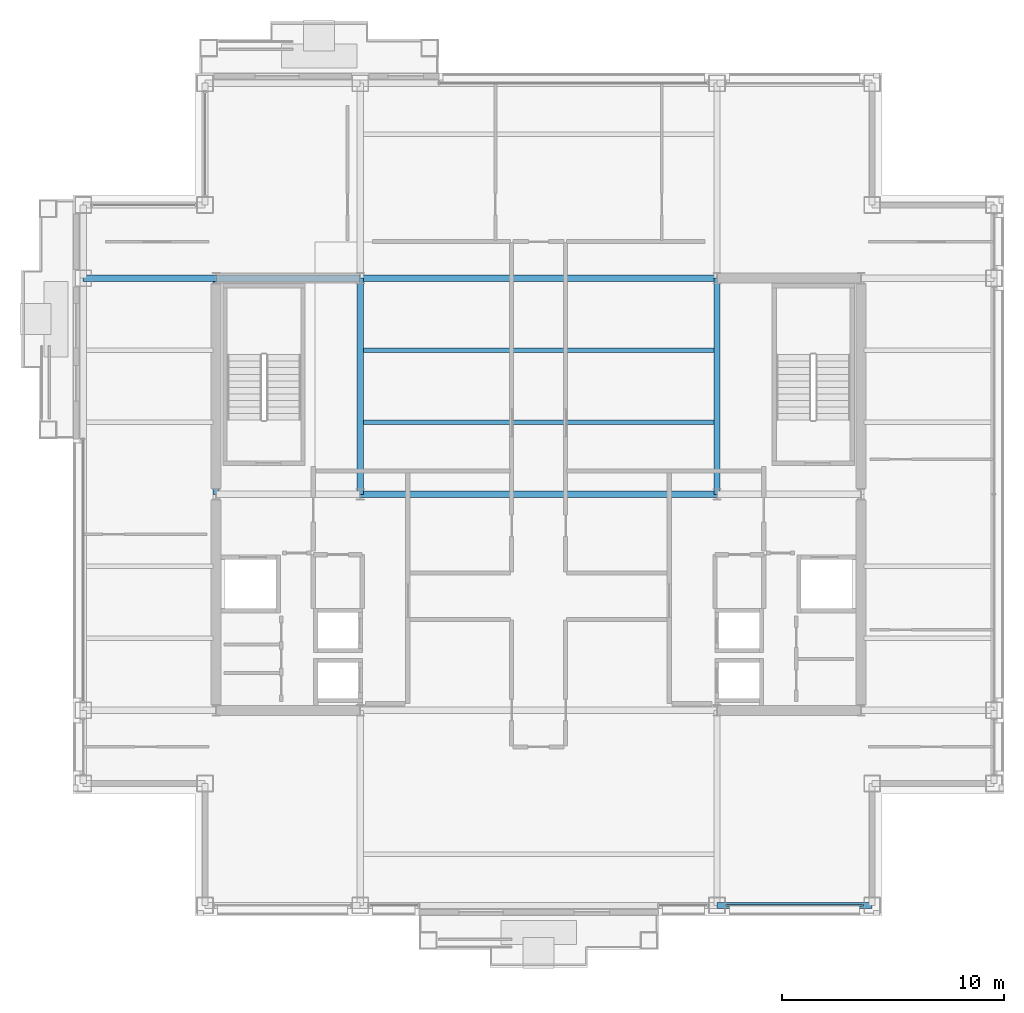
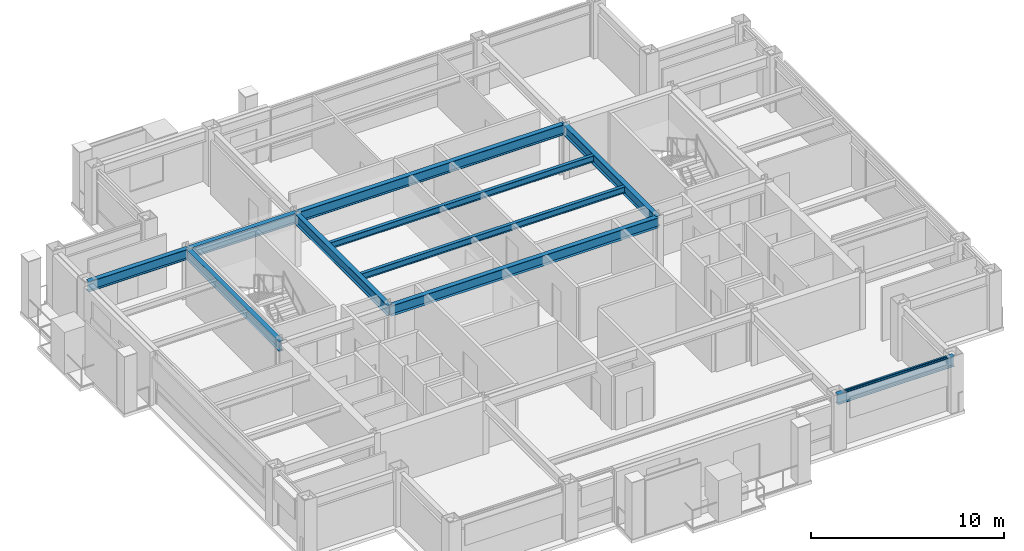
# One storey, part 10 of 30: 10 beams, 1 member, 1 element without a shape of its own.
"""IFC4 building model written with IfcOpenShell, lengths in metres."""

from ifc_helpers import new_model, si_unit, direction, frame, origin, origin_2d, place, context, subcontext, project, spatial, hollow_rectangle, i_section, extrude, material, layer, layer_set, material_profile, profile_set, type_object, element, aggregate, save


model = new_model("IFC4")

# Units and contexts
model_context = context("Model", 3, precision=1e-05, world=origin(), true_north=direction((0.0, 1.0)))
body_context = subcontext(model_context, "Body", "Model", "MODEL_VIEW")
ifc_project = project(units=[si_unit("LENGTHUNIT", "METRE"), si_unit("AREAUNIT", "SQUARE_METRE"), si_unit("VOLUMEUNIT", "CUBIC_METRE"), si_unit("PLANEANGLEUNIT", "RADIAN"), si_unit("MASSUNIT", "GRAM", prefix="KILO")], contexts=[model_context])

# Site, building, storey
site_placement = place(None, origin())
site = spatial("IfcSite", under=ifc_project, at=site_placement, CompositionType="ELEMENT")
building_placement = place(site_placement, origin())
building = spatial("IfcBuilding", under=site, at=building_placement, Name="Brelmoor Portico Tower", CompositionType="ELEMENT")
storey_placement = place(building_placement, frame((0.0, 0.0, 169.5)))
storey = spatial("IfcBuildingStorey", under=building, at=storey_placement, Name="L44", CompositionType="ELEMENT", Elevation=169.5)

# Beams
ifc_material_1 = material(Name="Steel Q355B", Category="steel")
ifc_material_profile_1 = material_profile(ifc_material_1, i_section(OverallWidth=0.199951171875, OverallDepth=0.39990234375, WebThickness=0.008056640625, FlangeThickness=0.012939453125, at=origin_2d()), Name="HN 400x200x8x13")
ifc_profile_set_1 = profile_set([ifc_material_profile_1], Name="Steel Q355B")
beam_type_1 = type_object("IfcBeamType", Name="BM-JS-400", PredefinedType="JOIST", material=ifc_profile_set_1)
for number, where, z_axis, x_axis, name in (
    (1, (-7.909912109375, 3.25, 3.199951171875), (1.0, 0.0, 0.0), (0.0, 1.0, 0.0), "L44 Secondary Composite Joist JS-C02"),
    (2, (-7.909912109375, 6.5, 3.199951171875), (1.0, 0.0, 0.0), (0.0, 1.0, 0.0), "L44 Secondary Composite Joist JS-C03"),
):
    element("IfcBeam", number, at=place(storey_placement, frame(where, z_axis=z_axis, x_axis=x_axis)), inside=storey, type_object=beam_type_1, Name=name, PredefinedType="JOIST", context=body_context, shape_type="SweptSolid", body=[
        extrude(i_section(OverallWidth=0.199951171875, OverallDepth=0.39990234375, WebThickness=0.008056640625, FlangeThickness=0.012939453125, at=origin_2d()), origin(), (0.0, 0.0, 1.0), 15.81982421875),
    ])
ifc_material_profile_2 = material_profile(ifc_material_1, i_section(OverallWidth=0.280029296875, OverallDepth=0.64990234375, WebThickness=0.012939453125, FlangeThickness=0.02197265625, at=origin_2d()), Name="HN 650x280x13x22")
ifc_profile_set_2 = profile_set([ifc_material_profile_2], Name="Steel Q355B")
beam_type_2 = type_object("IfcBeamType", Name="BM-PG-650", PredefinedType="BEAM", material=ifc_profile_set_2)
for number, where, z_axis, x_axis, name in (
    (3, (-14.550048828125, 0.0, 3.074951171875), (0.0, 1.0, 0.0), (-1.0, 0.0, 0.0), "L44 Primary Floor Girder PG-02"),
    (4, (-8.050048828125, 0.0, 3.074951171875), (0.0, 1.0, 0.0), (-1.0, 0.0, 0.0), "L44 Primary Floor Girder PG-04"),
    (5, (8.050048828125, 0.0, 3.074951171875), (0.0, 1.0, 0.0), (-1.0, 0.0, 0.0), "L44 Primary Floor Girder PG-07"),
):
    element("IfcBeam", number, at=place(storey_placement, frame(where, z_axis=z_axis, x_axis=x_axis)), inside=storey, type_object=beam_type_2, Name=name, PredefinedType="BEAM", context=body_context, shape_type="SweptSolid", body=[
        extrude(i_section(OverallWidth=0.280029296875, OverallDepth=0.64990234375, WebThickness=0.012939453125, FlangeThickness=0.02197265625, at=origin_2d()), origin(), (0.0, 0.0, 1.0), 9.75),
    ])
beam_1_placement = place(storey_placement, frame((-8.050048828125, 0.0, 3.074951171875), z_axis=(1.0, 0.0, 0.0), x_axis=(0.0, 1.0, 0.0)))
element("IfcBeam", 6, at=beam_1_placement, inside=storey, type_object=beam_type_2, Name="L44 Primary Floor Girder PG-17", PredefinedType="BEAM", context=body_context, shape_type="SweptSolid", body=[
    extrude(i_section(OverallWidth=0.280029296875, OverallDepth=0.64990234375, WebThickness=0.012939453125, FlangeThickness=0.02197265625, at=origin_2d()), origin(), (0.0, 0.0, 1.0), 16.10009765625),
])
beam_2_placement = place(storey_placement, frame((-20.550048828125, 9.75, 3.074951171875), z_axis=(1.0, 0.0, 0.0), x_axis=(0.0, 1.0, 0.0)))
element("IfcBeam", 7, at=beam_2_placement, inside=storey, type_object=beam_type_2, Name="L44 Primary Floor Girder PG-19", PredefinedType="BEAM", context=body_context, shape_type="SweptSolid", body=[
    extrude(i_section(OverallWidth=0.280029296875, OverallDepth=0.64990234375, WebThickness=0.012939453125, FlangeThickness=0.02197265625, at=origin_2d()), origin(), (0.0, 0.0, 1.0), 6.0),
])
beam_3_placement = place(storey_placement, frame((-14.550048828125, 9.75, 3.074951171875), z_axis=(1.0, 0.0, 0.0), x_axis=(0.0, 1.0, 0.0)))
element("IfcBeam", 8, at=beam_3_placement, inside=storey, type_object=beam_type_2, Name="L44 Primary Floor Girder PG-20", PredefinedType="BEAM", context=body_context, shape_type="SweptSolid", body=[
    extrude(i_section(OverallWidth=0.280029296875, OverallDepth=0.64990234375, WebThickness=0.012939453125, FlangeThickness=0.02197265625, at=origin_2d()), origin(), (0.0, 0.0, 1.0), 6.5),
])
beam_4_placement = place(storey_placement, frame((-8.050048828125, 9.75, 3.074951171875), z_axis=(1.0, 0.0, 0.0), x_axis=(0.0, 1.0, 0.0)))
element("IfcBeam", 9, at=beam_4_placement, inside=storey, type_object=beam_type_2, Name="L44 Primary Floor Girder PG-21", PredefinedType="BEAM", context=body_context, shape_type="SweptSolid", body=[
    extrude(i_section(OverallWidth=0.280029296875, OverallDepth=0.64990234375, WebThickness=0.012939453125, FlangeThickness=0.02197265625, at=origin_2d()), origin(), (0.0, 0.0, 1.0), 16.10009765625),
])
ifc_material_profile_3 = material_profile(ifc_material_1, i_section(OverallWidth=0.280029296875, OverallDepth=0.64990234375, WebThickness=0.012939453125, FlangeThickness=0.02197265625, at=origin_2d()), Name="HN 650x280x13x22")
ifc_profile_set_3 = profile_set([ifc_material_profile_3], Name="Steel Q355B")
beam_type_3 = type_object("IfcBeamType", Name="BM-SP-650", PredefinedType="SPANDREL", material=ifc_profile_set_3)
beam_5_placement = place(storey_placement, frame((8.050048828125, -18.550048828125, 3.074951171875), z_axis=(1.0, 0.0, 0.0), x_axis=(0.0, 1.0, 0.0)))
element("IfcBeam", 10, at=beam_5_placement, inside=storey, type_object=beam_type_3, Name="L44 Perimeter Spandrel Beam SP-03", PredefinedType="SPANDREL", context=body_context, shape_type="SweptSolid", body=[
    extrude(i_section(OverallWidth=0.280029296875, OverallDepth=0.64990234375, WebThickness=0.012939453125, FlangeThickness=0.02197265625, at=origin_2d()), origin(), (0.0, 0.0, 1.0), 7.0),
])

# Curtain wall, member
ifc_material_2 = material(Name="Anodised Aluminium Alloy 6063-T6", Category="aluminium")
ifc_layer = layer(ifc_material_2, 0.179931640625)
ifc_layer_set = layer_set([ifc_layer], Name="Anodised Aluminium Alloy 6063-T6")
curtain_wall_type = type_object("IfcCurtainWallType", Name="CW-TOWER-Z3-XB", PredefinedType="NOTDEFINED", material=ifc_layer_set)
curtain_wall_placement = place(storey_placement, origin())
curtain_wall = element("IfcCurtainWall", 11, at=curtain_wall_placement, inside=storey, type_object=curtain_wall_type, Name="L44 Curtain Wall CW-L44-1R-2", PredefinedType="NOTDEFINED")
ifc_material_profile_4 = material_profile(ifc_material_2, hollow_rectangle(XDim=0.06005859375, YDim=0.125, WallThickness=0.00341796875, at=origin_2d()), Name="ALU TRANSOM 60x125")
ifc_profile_set_4 = profile_set([ifc_material_profile_4], Name="Anodised Aluminium Alloy 6063-T6")
member_type = type_object("IfcMemberType", Name="MB-CW-TRAN-125", PredefinedType="USERDEFINED", material=ifc_profile_set_4)
member_placement = place(storey_placement, frame((8.43505859375, -18.550048828125, 3.33740234375), z_axis=(1.0, 0.0, 0.0), x_axis=(0.0, 1.0, 0.0)))
member = element("IfcMember", 12, at=member_placement, type_object=member_type, Name="CW-L44-1R-2 Transom 1-00", ObjectType="TRANSOM", PredefinedType="USERDEFINED", context=body_context, shape_type="SweptSolid", body=[
    extrude(hollow_rectangle(XDim=0.06005859375, YDim=0.125, WallThickness=0.00341796875, at=origin_2d()), origin(), (0.0, 0.0, 1.0), 6.22998046875),
])
aggregate(curtain_wall, [member])

save(model, "model.ifc")
